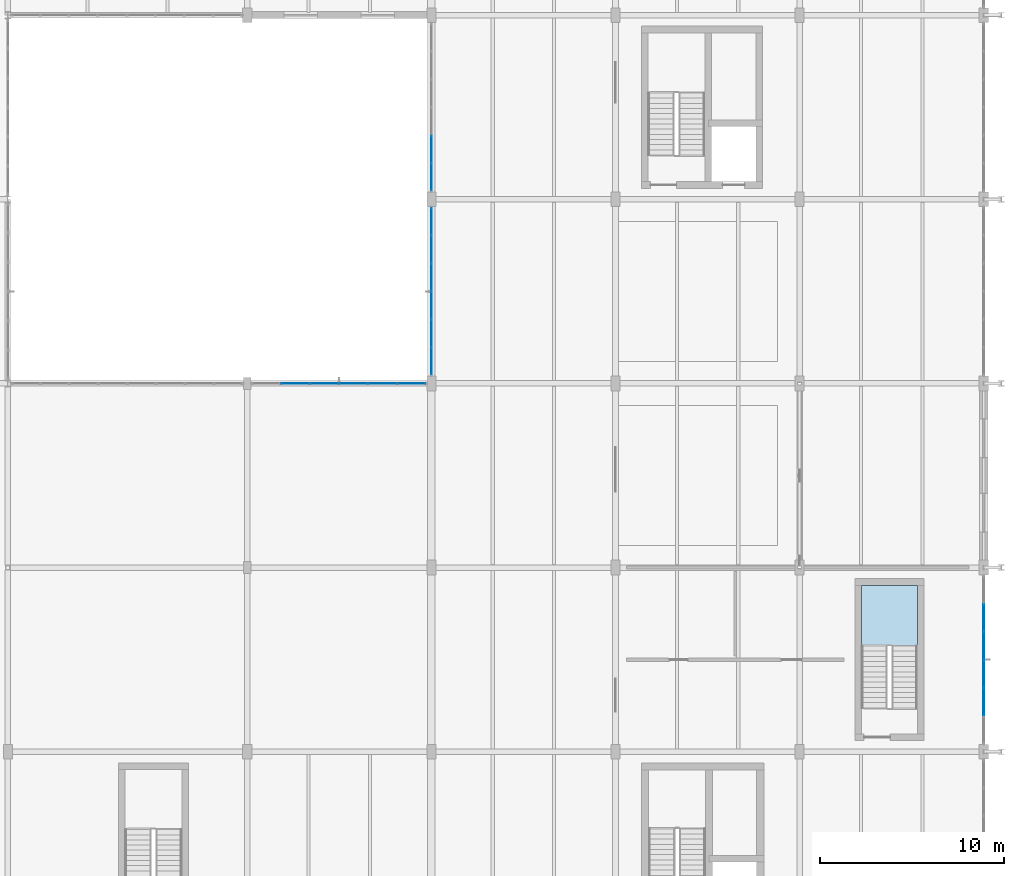
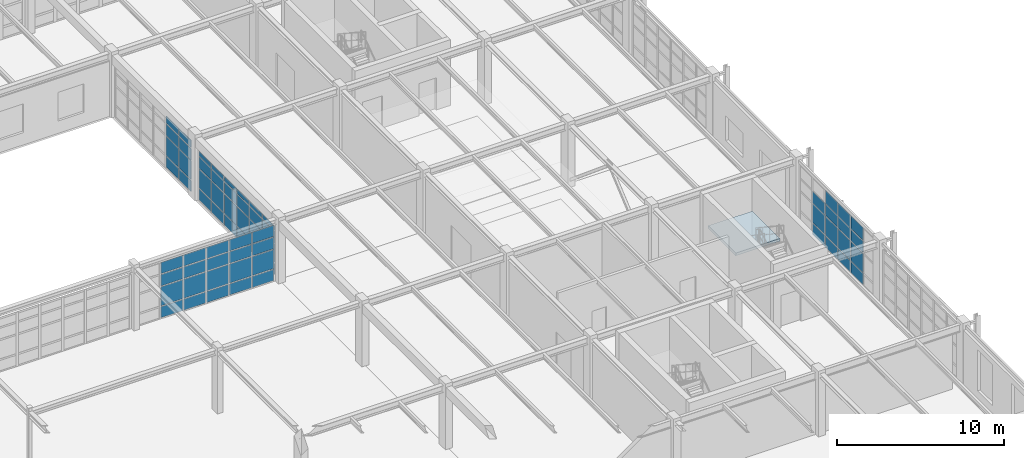
# One storey, part 99 of 139: 67 plates, 1 slab, 5 elements without a shape of their own.
"""IFC4 building model written with IfcOpenShell, lengths in metres."""

from ifc_helpers import new_model, si_unit, direction, frame, origin, origin_2d, place, context, subcontext, project, spatial, polyline, rectangle, outline, extrude, material, layer, layer_set, type_object, element, aggregate, save


model = new_model("IFC4")

# Units and contexts
model_context = context("Model", 3, precision=1e-05, world=origin(), true_north=direction((0.0, 1.0)))
body_context = subcontext(model_context, "Body", "Model", "MODEL_VIEW")
ifc_project = project(units=[si_unit("LENGTHUNIT", "METRE"), si_unit("AREAUNIT", "SQUARE_METRE"), si_unit("VOLUMEUNIT", "CUBIC_METRE"), si_unit("PLANEANGLEUNIT", "RADIAN"), si_unit("MASSUNIT", "GRAM", prefix="KILO"), si_unit("THERMODYNAMICTEMPERATUREUNIT", "KELVIN"), si_unit("POWERUNIT", "WATT")], contexts=[model_context])

# Site, building, storey
site_placement = place(None, origin())
site = spatial("IfcSite", under=ifc_project, at=site_placement, CompositionType="ELEMENT")
building_placement = place(site_placement, origin())
building = spatial("IfcBuilding", under=site, at=building_placement, Name="Korenveer Ferry Terminal", CompositionType="ELEMENT")
storey_placement = place(building_placement, frame((0.0, 0.0, 5.39990234375)))
storey = spatial("IfcBuildingStorey", under=building, at=storey_placement, Name="L01", CompositionType="ELEMENT", Elevation=5.39990234375)

# Curtain wall, plates
ifc_material_1 = material(Name="Unitised bronze-and-glass curtain wall", Category="glass")
ifc_layer_1 = layer(ifc_material_1, 0.159912109375)
ifc_layer_set_1 = layer_set([ifc_layer_1], Name="Unitised bronze-and-glass curtain wall")
curtain_wall_type_1 = type_object("IfcCurtainWallType", Name="ENV-CW-45", PredefinedType="USERDEFINED", material=ifc_layer_set_1)
curtain_wall_1_placement = place(storey_placement, frame((136.22998046875, 50.0, 0.0)))
curtain_wall_1 = element("IfcCurtainWall", 1, at=curtain_wall_1_placement, inside=storey, type_object=curtain_wall_type_1, Name="Lancet curtain wall CWX-L01-X136-146-Y50-50", ObjectType="UNITISED CURTAIN WALL", PredefinedType="USERDEFINED")
ifc_material_2 = material(Name="Low-iron solar-control double glazing", Category="glass")
ifc_layer_2 = layer(ifc_material_2, 0.028076171875)
ifc_layer_set_2 = layer_set([ifc_layer_2], Name="Low-iron solar-control double glazing")
plate_type = type_object("IfcPlateType", Name="ENV-CWP-GLZ28", PredefinedType="CURTAIN_PANEL", material=ifc_layer_set_2)
plate_1_placement = place(storey_placement, frame((138.6025390625, 50.0, 0.06005859375), z_axis=(0.0, 0.0, 1.0), x_axis=(1.0, 0.0, 0.0)))
plate_1 = element("IfcPlate", 2, at=plate_1_placement, type_object=plate_type, Name="CW-45 panel 2.1", PredefinedType="CURTAIN_PANEL", context=body_context, shape_type="SweptSolid", body=[
    extrude(rectangle(XDim=1.521728515625, YDim=0.028076171875, at=origin_2d()), origin(), (0.0, 0.0, 1.0), 0.81005859375),
])
plate_2_placement = place(storey_placement, frame((138.6025390625, 50.0, 0.93017578125), z_axis=(0.0, 0.0, 1.0), x_axis=(1.0, 0.0, 0.0)))
plate_2 = element("IfcPlate", 3, at=plate_2_placement, type_object=plate_type, Name="CW-45 panel 2.2", PredefinedType="CURTAIN_PANEL", context=body_context, shape_type="SweptSolid", body=[
    extrude(rectangle(XDim=1.521728515625, YDim=0.028076171875, at=origin_2d()), origin(), (0.0, 0.0, 1.0), 1.389892578125),
])
plate_3_placement = place(storey_placement, frame((138.6025390625, 50.0, 2.3798828125), z_axis=(0.0, 0.0, 1.0), x_axis=(1.0, 0.0, 0.0)))
plate_3 = element("IfcPlate", 4, at=plate_3_placement, type_object=plate_type, Name="CW-45 panel 2.3", PredefinedType="CURTAIN_PANEL", context=body_context, shape_type="SweptSolid", body=[
    extrude(rectangle(XDim=1.521728515625, YDim=0.028076171875, at=origin_2d()), origin(), (0.0, 0.0, 1.0), 0.840087890625),
])
plate_4_placement = place(storey_placement, frame((138.6025390625, 50.0, 3.2802734375), z_axis=(0.0, 0.0, 1.0), x_axis=(1.0, 0.0, 0.0)))
plate_4 = element("IfcPlate", 5, at=plate_4_placement, type_object=plate_type, Name="CW-45 panel 2.4", PredefinedType="CURTAIN_PANEL", context=body_context, shape_type="SweptSolid", body=[
    extrude(rectangle(XDim=1.521728515625, YDim=0.028076171875, at=origin_2d()), origin(), (0.0, 0.0, 1.0), 0.820068359375),
])
plate_5_placement = place(storey_placement, frame((140.18408203125, 50.0, 0.06005859375), z_axis=(0.0, 0.0, 1.0), x_axis=(1.0, 0.0, 0.0)))
plate_5 = element("IfcPlate", 6, at=plate_5_placement, type_object=plate_type, Name="CW-45 panel 3.1", PredefinedType="CURTAIN_PANEL", context=body_context, shape_type="SweptSolid", body=[
    extrude(rectangle(XDim=1.521728515625, YDim=0.028076171875, at=origin_2d()), origin(), (0.0, 0.0, 1.0), 0.81005859375),
])
plate_6_placement = place(storey_placement, frame((140.18408203125, 50.0, 0.93017578125), z_axis=(0.0, 0.0, 1.0), x_axis=(1.0, 0.0, 0.0)))
plate_6 = element("IfcPlate", 7, at=plate_6_placement, type_object=plate_type, Name="CW-45 panel 3.2", PredefinedType="CURTAIN_PANEL", context=body_context, shape_type="SweptSolid", body=[
    extrude(rectangle(XDim=1.521728515625, YDim=0.028076171875, at=origin_2d()), origin(), (0.0, 0.0, 1.0), 1.389892578125),
])
plate_7_placement = place(storey_placement, frame((140.18408203125, 50.0, 2.3798828125), z_axis=(0.0, 0.0, 1.0), x_axis=(1.0, 0.0, 0.0)))
plate_7 = element("IfcPlate", 8, at=plate_7_placement, type_object=plate_type, Name="CW-45 panel 3.3", PredefinedType="CURTAIN_PANEL", context=body_context, shape_type="SweptSolid", body=[
    extrude(rectangle(XDim=1.521728515625, YDim=0.028076171875, at=origin_2d()), origin(), (0.0, 0.0, 1.0), 0.840087890625),
])
plate_8_placement = place(storey_placement, frame((140.18408203125, 50.0, 3.2802734375), z_axis=(0.0, 0.0, 1.0), x_axis=(1.0, 0.0, 0.0)))
plate_8 = element("IfcPlate", 9, at=plate_8_placement, type_object=plate_type, Name="CW-45 panel 3.4", PredefinedType="CURTAIN_PANEL", context=body_context, shape_type="SweptSolid", body=[
    extrude(rectangle(XDim=1.521728515625, YDim=0.028076171875, at=origin_2d()), origin(), (0.0, 0.0, 1.0), 0.820068359375),
])
plate_9_placement = place(storey_placement, frame((141.765869140625, 50.0, 0.06005859375), z_axis=(0.0, 0.0, 1.0), x_axis=(1.0, 0.0, 0.0)))
plate_9 = element("IfcPlate", 10, at=plate_9_placement, type_object=plate_type, Name="CW-45 panel 4.1", PredefinedType="CURTAIN_PANEL", context=body_context, shape_type="SweptSolid", body=[
    extrude(rectangle(XDim=1.521728515625, YDim=0.028076171875, at=origin_2d()), origin(), (0.0, 0.0, 1.0), 0.81005859375),
])
plate_10_placement = place(storey_placement, frame((141.765869140625, 50.0, 0.93017578125), z_axis=(0.0, 0.0, 1.0), x_axis=(1.0, 0.0, 0.0)))
plate_10 = element("IfcPlate", 11, at=plate_10_placement, type_object=plate_type, Name="CW-45 panel 4.2", PredefinedType="CURTAIN_PANEL", context=body_context, shape_type="SweptSolid", body=[
    extrude(rectangle(XDim=1.521728515625, YDim=0.028076171875, at=origin_2d()), origin(), (0.0, 0.0, 1.0), 1.389892578125),
])
plate_11_placement = place(storey_placement, frame((141.765869140625, 50.0, 2.3798828125), z_axis=(0.0, 0.0, 1.0), x_axis=(1.0, 0.0, 0.0)))
plate_11 = element("IfcPlate", 12, at=plate_11_placement, type_object=plate_type, Name="CW-45 panel 4.3", PredefinedType="CURTAIN_PANEL", context=body_context, shape_type="SweptSolid", body=[
    extrude(rectangle(XDim=1.521728515625, YDim=0.028076171875, at=origin_2d()), origin(), (0.0, 0.0, 1.0), 0.840087890625),
])
plate_12_placement = place(storey_placement, frame((141.765869140625, 50.0, 3.2802734375), z_axis=(0.0, 0.0, 1.0), x_axis=(1.0, 0.0, 0.0)))
plate_12 = element("IfcPlate", 13, at=plate_12_placement, type_object=plate_type, Name="CW-45 panel 4.4", PredefinedType="CURTAIN_PANEL", context=body_context, shape_type="SweptSolid", body=[
    extrude(rectangle(XDim=1.521728515625, YDim=0.028076171875, at=origin_2d()), origin(), (0.0, 0.0, 1.0), 0.820068359375),
])
plate_13_placement = place(storey_placement, frame((143.347412109375, 50.0, 0.06005859375), z_axis=(0.0, 0.0, 1.0), x_axis=(1.0, 0.0, 0.0)))
plate_13 = element("IfcPlate", 14, at=plate_13_placement, type_object=plate_type, Name="CW-45 panel 5.1", PredefinedType="CURTAIN_PANEL", context=body_context, shape_type="SweptSolid", body=[
    extrude(rectangle(XDim=1.521728515625, YDim=0.028076171875, at=origin_2d()), origin(), (0.0, 0.0, 1.0), 0.81005859375),
])
plate_14_placement = place(storey_placement, frame((143.347412109375, 50.0, 0.93017578125), z_axis=(0.0, 0.0, 1.0), x_axis=(1.0, 0.0, 0.0)))
plate_14 = element("IfcPlate", 15, at=plate_14_placement, type_object=plate_type, Name="CW-45 panel 5.2", PredefinedType="CURTAIN_PANEL", context=body_context, shape_type="SweptSolid", body=[
    extrude(rectangle(XDim=1.521728515625, YDim=0.028076171875, at=origin_2d()), origin(), (0.0, 0.0, 1.0), 1.389892578125),
])
plate_15_placement = place(storey_placement, frame((143.347412109375, 50.0, 2.3798828125), z_axis=(0.0, 0.0, 1.0), x_axis=(1.0, 0.0, 0.0)))
plate_15 = element("IfcPlate", 16, at=plate_15_placement, type_object=plate_type, Name="CW-45 panel 5.3", PredefinedType="CURTAIN_PANEL", context=body_context, shape_type="SweptSolid", body=[
    extrude(rectangle(XDim=1.521728515625, YDim=0.028076171875, at=origin_2d()), origin(), (0.0, 0.0, 1.0), 0.840087890625),
])
plate_16_placement = place(storey_placement, frame((143.347412109375, 50.0, 3.2802734375), z_axis=(0.0, 0.0, 1.0), x_axis=(1.0, 0.0, 0.0)))
plate_16 = element("IfcPlate", 17, at=plate_16_placement, type_object=plate_type, Name="CW-45 panel 5.4", PredefinedType="CURTAIN_PANEL", context=body_context, shape_type="SweptSolid", body=[
    extrude(rectangle(XDim=1.521728515625, YDim=0.028076171875, at=origin_2d()), origin(), (0.0, 0.0, 1.0), 0.820068359375),
])
plate_17_placement = place(storey_placement, frame((144.9140625, 50.0, 0.06005859375), z_axis=(0.0, 0.0, 1.0), x_axis=(1.0, 0.0, 0.0)))
plate_17 = element("IfcPlate", 18, at=plate_17_placement, type_object=plate_type, Name="CW-45 panel 6.1", PredefinedType="CURTAIN_PANEL", context=body_context, shape_type="SweptSolid", body=[
    extrude(rectangle(XDim=1.49169921875, YDim=0.028076171875, at=origin_2d()), origin(), (0.0, 0.0, 1.0), 0.81005859375),
])
plate_18_placement = place(storey_placement, frame((144.9140625, 50.0, 0.93017578125), z_axis=(0.0, 0.0, 1.0), x_axis=(1.0, 0.0, 0.0)))
plate_18 = element("IfcPlate", 19, at=plate_18_placement, type_object=plate_type, Name="CW-45 panel 6.2", PredefinedType="CURTAIN_PANEL", context=body_context, shape_type="SweptSolid", body=[
    extrude(rectangle(XDim=1.49169921875, YDim=0.028076171875, at=origin_2d()), origin(), (0.0, 0.0, 1.0), 1.389892578125),
])
plate_19_placement = place(storey_placement, frame((144.9140625, 50.0, 2.3798828125), z_axis=(0.0, 0.0, 1.0), x_axis=(1.0, 0.0, 0.0)))
plate_19 = element("IfcPlate", 20, at=plate_19_placement, type_object=plate_type, Name="CW-45 panel 6.3", PredefinedType="CURTAIN_PANEL", context=body_context, shape_type="SweptSolid", body=[
    extrude(rectangle(XDim=1.49169921875, YDim=0.028076171875, at=origin_2d()), origin(), (0.0, 0.0, 1.0), 0.840087890625),
])
plate_20_placement = place(storey_placement, frame((144.9140625, 50.0, 3.2802734375), z_axis=(0.0, 0.0, 1.0), x_axis=(1.0, 0.0, 0.0)))
plate_20 = element("IfcPlate", 21, at=plate_20_placement, type_object=plate_type, Name="CW-45 panel 6.4", PredefinedType="CURTAIN_PANEL", context=body_context, shape_type="SweptSolid", body=[
    extrude(rectangle(XDim=1.49169921875, YDim=0.028076171875, at=origin_2d()), origin(), (0.0, 0.0, 1.0), 0.820068359375),
])
aggregate(curtain_wall_1, [plate_1, plate_2, plate_3, plate_4, plate_5, plate_6, plate_7, plate_8, plate_9, plate_10, plate_11, plate_12, plate_13, plate_14, plate_15, plate_16, plate_17, plate_18, plate_19, plate_20])

ifc_layer_3 = layer(ifc_material_1, 0.159912109375)
ifc_layer_set_3 = layer_set([ifc_layer_3], Name="Unitised bronze-and-glass curtain wall")
curtain_wall_type_2 = type_object("IfcCurtainWallType", Name="ENV-CW-78", PredefinedType="USERDEFINED", material=ifc_layer_set_3)
curtain_wall_2_placement = place(storey_placement, frame((146.0, 50.429931640625, 0.0)))
curtain_wall_2 = element("IfcCurtainWall", 22, at=curtain_wall_2_placement, inside=storey, type_object=curtain_wall_type_2, Name="Lancet curtain wall CWX-L01-X146-146-Y50-60", ObjectType="UNITISED CURTAIN WALL", PredefinedType="USERDEFINED")
plate_21_placement = place(storey_placement, frame((146.0, 51.206787109375, 0.06005859375), z_axis=(0.0, 0.0, 1.0), x_axis=(0.0, 1.0, 0.0)))
plate_21 = element("IfcPlate", 23, at=plate_21_placement, type_object=plate_type, Name="CW-78 panel 1.1", PredefinedType="CURTAIN_PANEL", context=body_context, shape_type="SweptSolid", body=[
    extrude(rectangle(XDim=1.433349609375, YDim=0.028076171875, at=origin_2d()), origin(), (0.0, 0.0, 1.0), 0.81005859375),
])
plate_22_placement = place(storey_placement, frame((146.0, 51.206787109375, 0.93017578125), z_axis=(0.0, 0.0, 1.0), x_axis=(0.0, 1.0, 0.0)))
plate_22 = element("IfcPlate", 24, at=plate_22_placement, type_object=plate_type, Name="CW-78 panel 1.2", PredefinedType="CURTAIN_PANEL", context=body_context, shape_type="SweptSolid", body=[
    extrude(rectangle(XDim=1.433349609375, YDim=0.028076171875, at=origin_2d()), origin(), (0.0, 0.0, 1.0), 1.389892578125),
])
plate_23_placement = place(storey_placement, frame((146.0, 51.206787109375, 2.3798828125), z_axis=(0.0, 0.0, 1.0), x_axis=(0.0, 1.0, 0.0)))
plate_23 = element("IfcPlate", 25, at=plate_23_placement, type_object=plate_type, Name="CW-78 panel 1.3", PredefinedType="CURTAIN_PANEL", context=body_context, shape_type="SweptSolid", body=[
    extrude(rectangle(XDim=1.433349609375, YDim=0.028076171875, at=origin_2d()), origin(), (0.0, 0.0, 1.0), 0.840087890625),
])
plate_24_placement = place(storey_placement, frame((146.0, 51.206787109375, 3.280029296875), z_axis=(0.0, 0.0, 1.0), x_axis=(0.0, 1.0, 0.0)))
plate_24 = element("IfcPlate", 26, at=plate_24_placement, type_object=plate_type, Name="CW-78 panel 1.4", PredefinedType="CURTAIN_PANEL", context=body_context, shape_type="SweptSolid", body=[
    extrude(rectangle(XDim=1.433349609375, YDim=0.028076171875, at=origin_2d()), origin(), (0.0, 0.0, 1.0), 0.330078125),
])
plate_25_placement = place(storey_placement, frame((146.0, 52.715087890625, 0.06005859375), z_axis=(0.0, 0.0, 1.0), x_axis=(0.0, 1.0, 0.0)))
plate_25 = element("IfcPlate", 27, at=plate_25_placement, type_object=plate_type, Name="CW-78 panel 2.1", PredefinedType="CURTAIN_PANEL", context=body_context, shape_type="SweptSolid", body=[
    extrude(rectangle(XDim=1.46337890625, YDim=0.028076171875, at=origin_2d()), origin(), (0.0, 0.0, 1.0), 0.81005859375),
])
plate_26_placement = place(storey_placement, frame((146.0, 52.715087890625, 0.93017578125), z_axis=(0.0, 0.0, 1.0), x_axis=(0.0, 1.0, 0.0)))
plate_26 = element("IfcPlate", 28, at=plate_26_placement, type_object=plate_type, Name="CW-78 panel 2.2", PredefinedType="CURTAIN_PANEL", context=body_context, shape_type="SweptSolid", body=[
    extrude(rectangle(XDim=1.46337890625, YDim=0.028076171875, at=origin_2d()), origin(), (0.0, 0.0, 1.0), 1.389892578125),
])
plate_27_placement = place(storey_placement, frame((146.0, 52.715087890625, 2.3798828125), z_axis=(0.0, 0.0, 1.0), x_axis=(0.0, 1.0, 0.0)))
plate_27 = element("IfcPlate", 29, at=plate_27_placement, type_object=plate_type, Name="CW-78 panel 2.3", PredefinedType="CURTAIN_PANEL", context=body_context, shape_type="SweptSolid", body=[
    extrude(rectangle(XDim=1.46337890625, YDim=0.028076171875, at=origin_2d()), origin(), (0.0, 0.0, 1.0), 0.840087890625),
])
plate_28_placement = place(storey_placement, frame((146.0, 52.715087890625, 3.280029296875), z_axis=(0.0, 0.0, 1.0), x_axis=(0.0, 1.0, 0.0)))
plate_28 = element("IfcPlate", 30, at=plate_28_placement, type_object=plate_type, Name="CW-78 panel 2.4", PredefinedType="CURTAIN_PANEL", context=body_context, shape_type="SweptSolid", body=[
    extrude(rectangle(XDim=1.46337890625, YDim=0.028076171875, at=origin_2d()), origin(), (0.0, 0.0, 1.0), 0.330078125),
])
plate_29_placement = place(storey_placement, frame((146.0, 54.23828125, 0.06005859375), z_axis=(0.0, 0.0, 1.0), x_axis=(0.0, 1.0, 0.0)))
plate_29 = element("IfcPlate", 31, at=plate_29_placement, type_object=plate_type, Name="CW-78 panel 3.1", PredefinedType="CURTAIN_PANEL", context=body_context, shape_type="SweptSolid", body=[
    extrude(rectangle(XDim=1.46337890625, YDim=0.028076171875, at=origin_2d()), origin(), (0.0, 0.0, 1.0), 0.81005859375),
])
plate_30_placement = place(storey_placement, frame((146.0, 54.23828125, 0.93017578125), z_axis=(0.0, 0.0, 1.0), x_axis=(0.0, 1.0, 0.0)))
plate_30 = element("IfcPlate", 32, at=plate_30_placement, type_object=plate_type, Name="CW-78 panel 3.2", PredefinedType="CURTAIN_PANEL", context=body_context, shape_type="SweptSolid", body=[
    extrude(rectangle(XDim=1.46337890625, YDim=0.028076171875, at=origin_2d()), origin(), (0.0, 0.0, 1.0), 1.389892578125),
])
plate_31_placement = place(storey_placement, frame((146.0, 54.23828125, 2.3798828125), z_axis=(0.0, 0.0, 1.0), x_axis=(0.0, 1.0, 0.0)))
plate_31 = element("IfcPlate", 33, at=plate_31_placement, type_object=plate_type, Name="CW-78 panel 3.3", PredefinedType="CURTAIN_PANEL", context=body_context, shape_type="SweptSolid", body=[
    extrude(rectangle(XDim=1.46337890625, YDim=0.028076171875, at=origin_2d()), origin(), (0.0, 0.0, 1.0), 0.840087890625),
])
plate_32_placement = place(storey_placement, frame((146.0, 54.23828125, 3.280029296875), z_axis=(0.0, 0.0, 1.0), x_axis=(0.0, 1.0, 0.0)))
plate_32 = element("IfcPlate", 34, at=plate_32_placement, type_object=plate_type, Name="CW-78 panel 3.4", PredefinedType="CURTAIN_PANEL", context=body_context, shape_type="SweptSolid", body=[
    extrude(rectangle(XDim=1.46337890625, YDim=0.028076171875, at=origin_2d()), origin(), (0.0, 0.0, 1.0), 0.330078125),
])
plate_33_placement = place(storey_placement, frame((146.0, 55.76171875, 0.06005859375), z_axis=(0.0, 0.0, 1.0), x_axis=(0.0, 1.0, 0.0)))
plate_33 = element("IfcPlate", 35, at=plate_33_placement, type_object=plate_type, Name="CW-78 panel 4.1", PredefinedType="CURTAIN_PANEL", context=body_context, shape_type="SweptSolid", body=[
    extrude(rectangle(XDim=1.46337890625, YDim=0.028076171875, at=origin_2d()), origin(), (0.0, 0.0, 1.0), 0.81005859375),
])
plate_34_placement = place(storey_placement, frame((146.0, 55.76171875, 0.93017578125), z_axis=(0.0, 0.0, 1.0), x_axis=(0.0, 1.0, 0.0)))
plate_34 = element("IfcPlate", 36, at=plate_34_placement, type_object=plate_type, Name="CW-78 panel 4.2", PredefinedType="CURTAIN_PANEL", context=body_context, shape_type="SweptSolid", body=[
    extrude(rectangle(XDim=1.46337890625, YDim=0.028076171875, at=origin_2d()), origin(), (0.0, 0.0, 1.0), 1.389892578125),
])
plate_35_placement = place(storey_placement, frame((146.0, 55.76171875, 2.3798828125), z_axis=(0.0, 0.0, 1.0), x_axis=(0.0, 1.0, 0.0)))
plate_35 = element("IfcPlate", 37, at=plate_35_placement, type_object=plate_type, Name="CW-78 panel 4.3", PredefinedType="CURTAIN_PANEL", context=body_context, shape_type="SweptSolid", body=[
    extrude(rectangle(XDim=1.46337890625, YDim=0.028076171875, at=origin_2d()), origin(), (0.0, 0.0, 1.0), 0.840087890625),
])
plate_36_placement = place(storey_placement, frame((146.0, 55.76171875, 3.280029296875), z_axis=(0.0, 0.0, 1.0), x_axis=(0.0, 1.0, 0.0)))
plate_36 = element("IfcPlate", 38, at=plate_36_placement, type_object=plate_type, Name="CW-78 panel 4.4", PredefinedType="CURTAIN_PANEL", context=body_context, shape_type="SweptSolid", body=[
    extrude(rectangle(XDim=1.46337890625, YDim=0.028076171875, at=origin_2d()), origin(), (0.0, 0.0, 1.0), 0.330078125),
])
plate_37_placement = place(storey_placement, frame((146.0, 57.284912109375, 0.06005859375), z_axis=(0.0, 0.0, 1.0), x_axis=(0.0, 1.0, 0.0)))
plate_37 = element("IfcPlate", 39, at=plate_37_placement, type_object=plate_type, Name="CW-78 panel 5.1", PredefinedType="CURTAIN_PANEL", context=body_context, shape_type="SweptSolid", body=[
    extrude(rectangle(XDim=1.46337890625, YDim=0.028076171875, at=origin_2d()), origin(), (0.0, 0.0, 1.0), 0.81005859375),
])
plate_38_placement = place(storey_placement, frame((146.0, 57.284912109375, 0.93017578125), z_axis=(0.0, 0.0, 1.0), x_axis=(0.0, 1.0, 0.0)))
plate_38 = element("IfcPlate", 40, at=plate_38_placement, type_object=plate_type, Name="CW-78 panel 5.2", PredefinedType="CURTAIN_PANEL", context=body_context, shape_type="SweptSolid", body=[
    extrude(rectangle(XDim=1.46337890625, YDim=0.028076171875, at=origin_2d()), origin(), (0.0, 0.0, 1.0), 1.389892578125),
])
plate_39_placement = place(storey_placement, frame((146.0, 57.284912109375, 2.3798828125), z_axis=(0.0, 0.0, 1.0), x_axis=(0.0, 1.0, 0.0)))
plate_39 = element("IfcPlate", 41, at=plate_39_placement, type_object=plate_type, Name="CW-78 panel 5.3", PredefinedType="CURTAIN_PANEL", context=body_context, shape_type="SweptSolid", body=[
    extrude(rectangle(XDim=1.46337890625, YDim=0.028076171875, at=origin_2d()), origin(), (0.0, 0.0, 1.0), 0.840087890625),
])
plate_40_placement = place(storey_placement, frame((146.0, 57.284912109375, 3.280029296875), z_axis=(0.0, 0.0, 1.0), x_axis=(0.0, 1.0, 0.0)))
plate_40 = element("IfcPlate", 42, at=plate_40_placement, type_object=plate_type, Name="CW-78 panel 5.4", PredefinedType="CURTAIN_PANEL", context=body_context, shape_type="SweptSolid", body=[
    extrude(rectangle(XDim=1.46337890625, YDim=0.028076171875, at=origin_2d()), origin(), (0.0, 0.0, 1.0), 0.330078125),
])
plate_41_placement = place(storey_placement, frame((146.0, 58.793212890625, 0.06005859375), z_axis=(0.0, 0.0, 1.0), x_axis=(0.0, 1.0, 0.0)))
plate_41 = element("IfcPlate", 43, at=plate_41_placement, type_object=plate_type, Name="CW-78 panel 6.1", PredefinedType="CURTAIN_PANEL", context=body_context, shape_type="SweptSolid", body=[
    extrude(rectangle(XDim=1.433349609375, YDim=0.028076171875, at=origin_2d()), origin(), (0.0, 0.0, 1.0), 0.81005859375),
])
plate_42_placement = place(storey_placement, frame((146.0, 58.793212890625, 0.93017578125), z_axis=(0.0, 0.0, 1.0), x_axis=(0.0, 1.0, 0.0)))
plate_42 = element("IfcPlate", 44, at=plate_42_placement, type_object=plate_type, Name="CW-78 panel 6.2", PredefinedType="CURTAIN_PANEL", context=body_context, shape_type="SweptSolid", body=[
    extrude(rectangle(XDim=1.433349609375, YDim=0.028076171875, at=origin_2d()), origin(), (0.0, 0.0, 1.0), 1.389892578125),
])
plate_43_placement = place(storey_placement, frame((146.0, 58.793212890625, 2.3798828125), z_axis=(0.0, 0.0, 1.0), x_axis=(0.0, 1.0, 0.0)))
plate_43 = element("IfcPlate", 45, at=plate_43_placement, type_object=plate_type, Name="CW-78 panel 6.3", PredefinedType="CURTAIN_PANEL", context=body_context, shape_type="SweptSolid", body=[
    extrude(rectangle(XDim=1.433349609375, YDim=0.028076171875, at=origin_2d()), origin(), (0.0, 0.0, 1.0), 0.840087890625),
])
plate_44_placement = place(storey_placement, frame((146.0, 58.793212890625, 3.280029296875), z_axis=(0.0, 0.0, 1.0), x_axis=(0.0, 1.0, 0.0)))
plate_44 = element("IfcPlate", 46, at=plate_44_placement, type_object=plate_type, Name="CW-78 panel 6.4", PredefinedType="CURTAIN_PANEL", context=body_context, shape_type="SweptSolid", body=[
    extrude(rectangle(XDim=1.433349609375, YDim=0.028076171875, at=origin_2d()), origin(), (0.0, 0.0, 1.0), 0.330078125),
])
aggregate(curtain_wall_2, [plate_21, plate_22, plate_23, plate_24, plate_25, plate_26, plate_27, plate_28, plate_29, plate_30, plate_31, plate_32, plate_33, plate_34, plate_35, plate_36, plate_37, plate_38, plate_39, plate_40, plate_41, plate_42, plate_43, plate_44])

ifc_layer_4 = layer(ifc_material_1, 0.159912109375)
ifc_layer_set_4 = layer_set([ifc_layer_4], Name="Unitised bronze-and-glass curtain wall")
curtain_wall_type_3 = type_object("IfcCurtainWallType", Name="ENV-CW-79", PredefinedType="USERDEFINED", material=ifc_layer_set_4)
curtain_wall_3_placement = place(storey_placement, frame((146.0, 60.429931640625, 0.0)))
curtain_wall_3 = element("IfcCurtainWall", 47, at=curtain_wall_3_placement, inside=storey, type_object=curtain_wall_type_3, Name="Lancet curtain wall CWX-L01-X146-146-Y60-70", ObjectType="UNITISED CURTAIN WALL", PredefinedType="USERDEFINED")
plate_45_placement = place(storey_placement, frame((146.0, 61.206787109375, 0.06005859375), z_axis=(0.0, 0.0, 1.0), x_axis=(0.0, 1.0, 0.0)))
plate_45 = element("IfcPlate", 48, at=plate_45_placement, type_object=plate_type, Name="CW-79 panel 1.1", PredefinedType="CURTAIN_PANEL", context=body_context, shape_type="SweptSolid", body=[
    extrude(rectangle(XDim=1.433349609375, YDim=0.028076171875, at=origin_2d()), origin(), (0.0, 0.0, 1.0), 0.81005859375),
])
plate_46_placement = place(storey_placement, frame((146.0, 61.206787109375, 0.93017578125), z_axis=(0.0, 0.0, 1.0), x_axis=(0.0, 1.0, 0.0)))
plate_46 = element("IfcPlate", 49, at=plate_46_placement, type_object=plate_type, Name="CW-79 panel 1.2", PredefinedType="CURTAIN_PANEL", context=body_context, shape_type="SweptSolid", body=[
    extrude(rectangle(XDim=1.433349609375, YDim=0.028076171875, at=origin_2d()), origin(), (0.0, 0.0, 1.0), 1.389892578125),
])
plate_47_placement = place(storey_placement, frame((146.0, 61.206787109375, 2.3798828125), z_axis=(0.0, 0.0, 1.0), x_axis=(0.0, 1.0, 0.0)))
plate_47 = element("IfcPlate", 50, at=plate_47_placement, type_object=plate_type, Name="CW-79 panel 1.3", PredefinedType="CURTAIN_PANEL", context=body_context, shape_type="SweptSolid", body=[
    extrude(rectangle(XDim=1.433349609375, YDim=0.028076171875, at=origin_2d()), origin(), (0.0, 0.0, 1.0), 0.840087890625),
])
plate_48_placement = place(storey_placement, frame((146.0, 61.206787109375, 3.2802734375), z_axis=(0.0, 0.0, 1.0), x_axis=(0.0, 1.0, 0.0)))
plate_48 = element("IfcPlate", 51, at=plate_48_placement, type_object=plate_type, Name="CW-79 panel 1.4", PredefinedType="CURTAIN_PANEL", context=body_context, shape_type="SweptSolid", body=[
    extrude(rectangle(XDim=1.433349609375, YDim=0.028076171875, at=origin_2d()), origin(), (0.0, 0.0, 1.0), 0.530029296875),
])
plate_49_placement = place(storey_placement, frame((146.0, 62.715087890625, 0.06005859375), z_axis=(0.0, 0.0, 1.0), x_axis=(0.0, 1.0, 0.0)))
plate_49 = element("IfcPlate", 52, at=plate_49_placement, type_object=plate_type, Name="CW-79 panel 2.1", PredefinedType="CURTAIN_PANEL", context=body_context, shape_type="SweptSolid", body=[
    extrude(rectangle(XDim=1.46337890625, YDim=0.028076171875, at=origin_2d()), origin(), (0.0, 0.0, 1.0), 0.81005859375),
])
plate_50_placement = place(storey_placement, frame((146.0, 62.715087890625, 0.93017578125), z_axis=(0.0, 0.0, 1.0), x_axis=(0.0, 1.0, 0.0)))
plate_50 = element("IfcPlate", 53, at=plate_50_placement, type_object=plate_type, Name="CW-79 panel 2.2", PredefinedType="CURTAIN_PANEL", context=body_context, shape_type="SweptSolid", body=[
    extrude(rectangle(XDim=1.46337890625, YDim=0.028076171875, at=origin_2d()), origin(), (0.0, 0.0, 1.0), 1.389892578125),
])
plate_51_placement = place(storey_placement, frame((146.0, 62.715087890625, 2.3798828125), z_axis=(0.0, 0.0, 1.0), x_axis=(0.0, 1.0, 0.0)))
plate_51 = element("IfcPlate", 54, at=plate_51_placement, type_object=plate_type, Name="CW-79 panel 2.3", PredefinedType="CURTAIN_PANEL", context=body_context, shape_type="SweptSolid", body=[
    extrude(rectangle(XDim=1.46337890625, YDim=0.028076171875, at=origin_2d()), origin(), (0.0, 0.0, 1.0), 0.840087890625),
])
plate_52_placement = place(storey_placement, frame((146.0, 62.715087890625, 3.2802734375), z_axis=(0.0, 0.0, 1.0), x_axis=(0.0, 1.0, 0.0)))
plate_52 = element("IfcPlate", 55, at=plate_52_placement, type_object=plate_type, Name="CW-79 panel 2.4", PredefinedType="CURTAIN_PANEL", context=body_context, shape_type="SweptSolid", body=[
    extrude(rectangle(XDim=1.46337890625, YDim=0.028076171875, at=origin_2d()), origin(), (0.0, 0.0, 1.0), 0.530029296875),
])
aggregate(curtain_wall_3, [plate_45, plate_46, plate_47, plate_48, plate_49, plate_50, plate_51, plate_52])

ifc_layer_5 = layer(ifc_material_1, 0.159912109375)
ifc_layer_set_5 = layer_set([ifc_layer_5], Name="Unitised bronze-and-glass curtain wall")
curtain_wall_type_4 = type_object("IfcCurtainWallType", Name="ENV-CW-81", PredefinedType="USERDEFINED", material=ifc_layer_set_5)
curtain_wall_4_placement = place(storey_placement, frame((176.0, 39.570068359375, 0.0)))
curtain_wall_4 = element("IfcCurtainWall", 56, at=curtain_wall_4_placement, inside=storey, type_object=curtain_wall_type_4, Name="Lancet curtain wall CWX-L01-X176-176-Y30-40", ObjectType="UNITISED CURTAIN WALL", PredefinedType="USERDEFINED")
plate_53_placement = place(storey_placement, frame((176.0, 37.284912109375, 0.06005859375), z_axis=(0.0, 0.0, 1.0), x_axis=(0.0, -1.0, 0.0)))
plate_53 = element("IfcPlate", 57, at=plate_53_placement, type_object=plate_type, Name="CW-81 panel 2.1", PredefinedType="CURTAIN_PANEL", context=body_context, shape_type="SweptSolid", body=[
    extrude(rectangle(XDim=1.46337890625, YDim=0.028076171875, at=origin_2d()), origin(), (0.0, 0.0, 1.0), 0.81005859375),
])
plate_54_placement = place(storey_placement, frame((176.0, 37.284912109375, 0.93017578125), z_axis=(0.0, 0.0, 1.0), x_axis=(0.0, -1.0, 0.0)))
plate_54 = element("IfcPlate", 58, at=plate_54_placement, type_object=plate_type, Name="CW-81 panel 2.2", PredefinedType="CURTAIN_PANEL", context=body_context, shape_type="SweptSolid", body=[
    extrude(rectangle(XDim=1.46337890625, YDim=0.028076171875, at=origin_2d()), origin(), (0.0, 0.0, 1.0), 1.389892578125),
])
plate_55_placement = place(storey_placement, frame((176.0, 37.284912109375, 2.3798828125), z_axis=(0.0, 0.0, 1.0), x_axis=(0.0, -1.0, 0.0)))
plate_55 = element("IfcPlate", 59, at=plate_55_placement, type_object=plate_type, Name="CW-81 panel 2.3", PredefinedType="CURTAIN_PANEL", context=body_context, shape_type="SweptSolid", body=[
    extrude(rectangle(XDim=1.46337890625, YDim=0.028076171875, at=origin_2d()), origin(), (0.0, 0.0, 1.0), 0.840087890625),
])
plate_56_placement = place(storey_placement, frame((176.0, 35.76171875, 0.06005859375), z_axis=(0.0, 0.0, 1.0), x_axis=(0.0, -1.0, 0.0)))
plate_56 = element("IfcPlate", 60, at=plate_56_placement, type_object=plate_type, Name="CW-81 panel 3.1", PredefinedType="CURTAIN_PANEL", context=body_context, shape_type="SweptSolid", body=[
    extrude(rectangle(XDim=1.46337890625, YDim=0.028076171875, at=origin_2d()), origin(), (0.0, 0.0, 1.0), 0.81005859375),
])
plate_57_placement = place(storey_placement, frame((176.0, 35.76171875, 0.93017578125), z_axis=(0.0, 0.0, 1.0), x_axis=(0.0, -1.0, 0.0)))
plate_57 = element("IfcPlate", 61, at=plate_57_placement, type_object=plate_type, Name="CW-81 panel 3.2", PredefinedType="CURTAIN_PANEL", context=body_context, shape_type="SweptSolid", body=[
    extrude(rectangle(XDim=1.46337890625, YDim=0.028076171875, at=origin_2d()), origin(), (0.0, 0.0, 1.0), 1.389892578125),
])
plate_58_placement = place(storey_placement, frame((176.0, 35.76171875, 2.3798828125), z_axis=(0.0, 0.0, 1.0), x_axis=(0.0, -1.0, 0.0)))
plate_58 = element("IfcPlate", 62, at=plate_58_placement, type_object=plate_type, Name="CW-81 panel 3.3", PredefinedType="CURTAIN_PANEL", context=body_context, shape_type="SweptSolid", body=[
    extrude(rectangle(XDim=1.46337890625, YDim=0.028076171875, at=origin_2d()), origin(), (0.0, 0.0, 1.0), 0.840087890625),
])
plate_59_placement = place(storey_placement, frame((176.0, 35.76171875, 3.2802734375), z_axis=(0.0, 0.0, 1.0), x_axis=(0.0, -1.0, 0.0)))
plate_59 = element("IfcPlate", 63, at=plate_59_placement, type_object=plate_type, Name="CW-81 panel 3.4", PredefinedType="CURTAIN_PANEL", context=body_context, shape_type="SweptSolid", body=[
    extrude(rectangle(XDim=1.46337890625, YDim=0.028076171875, at=origin_2d()), origin(), (0.0, 0.0, 1.0), 0.929931640625),
])
plate_60_placement = place(storey_placement, frame((176.0, 34.23828125, 0.06005859375), z_axis=(0.0, 0.0, 1.0), x_axis=(0.0, -1.0, 0.0)))
plate_60 = element("IfcPlate", 64, at=plate_60_placement, type_object=plate_type, Name="CW-81 panel 4.1", PredefinedType="CURTAIN_PANEL", context=body_context, shape_type="SweptSolid", body=[
    extrude(rectangle(XDim=1.46337890625, YDim=0.028076171875, at=origin_2d()), origin(), (0.0, 0.0, 1.0), 0.81005859375),
])
plate_61_placement = place(storey_placement, frame((176.0, 34.23828125, 0.93017578125), z_axis=(0.0, 0.0, 1.0), x_axis=(0.0, -1.0, 0.0)))
plate_61 = element("IfcPlate", 65, at=plate_61_placement, type_object=plate_type, Name="CW-81 panel 4.2", PredefinedType="CURTAIN_PANEL", context=body_context, shape_type="SweptSolid", body=[
    extrude(rectangle(XDim=1.46337890625, YDim=0.028076171875, at=origin_2d()), origin(), (0.0, 0.0, 1.0), 1.389892578125),
])
plate_62_placement = place(storey_placement, frame((176.0, 34.23828125, 2.3798828125), z_axis=(0.0, 0.0, 1.0), x_axis=(0.0, -1.0, 0.0)))
plate_62 = element("IfcPlate", 66, at=plate_62_placement, type_object=plate_type, Name="CW-81 panel 4.3", PredefinedType="CURTAIN_PANEL", context=body_context, shape_type="SweptSolid", body=[
    extrude(rectangle(XDim=1.46337890625, YDim=0.028076171875, at=origin_2d()), origin(), (0.0, 0.0, 1.0), 0.840087890625),
])
plate_63_placement = place(storey_placement, frame((176.0, 34.23828125, 3.2802734375), z_axis=(0.0, 0.0, 1.0), x_axis=(0.0, -1.0, 0.0)))
plate_63 = element("IfcPlate", 67, at=plate_63_placement, type_object=plate_type, Name="CW-81 panel 4.4", PredefinedType="CURTAIN_PANEL", context=body_context, shape_type="SweptSolid", body=[
    extrude(rectangle(XDim=1.46337890625, YDim=0.028076171875, at=origin_2d()), origin(), (0.0, 0.0, 1.0), 0.929931640625),
])
plate_64_placement = place(storey_placement, frame((176.0, 32.715087890625, 0.06005859375), z_axis=(0.0, 0.0, 1.0), x_axis=(0.0, -1.0, 0.0)))
plate_64 = element("IfcPlate", 68, at=plate_64_placement, type_object=plate_type, Name="CW-81 panel 5.1", PredefinedType="CURTAIN_PANEL", context=body_context, shape_type="SweptSolid", body=[
    extrude(rectangle(XDim=1.46337890625, YDim=0.028076171875, at=origin_2d()), origin(), (0.0, 0.0, 1.0), 0.81005859375),
])
plate_65_placement = place(storey_placement, frame((176.0, 32.715087890625, 0.93017578125), z_axis=(0.0, 0.0, 1.0), x_axis=(0.0, -1.0, 0.0)))
plate_65 = element("IfcPlate", 69, at=plate_65_placement, type_object=plate_type, Name="CW-81 panel 5.2", PredefinedType="CURTAIN_PANEL", context=body_context, shape_type="SweptSolid", body=[
    extrude(rectangle(XDim=1.46337890625, YDim=0.028076171875, at=origin_2d()), origin(), (0.0, 0.0, 1.0), 1.389892578125),
])
plate_66_placement = place(storey_placement, frame((176.0, 32.715087890625, 2.3798828125), z_axis=(0.0, 0.0, 1.0), x_axis=(0.0, -1.0, 0.0)))
plate_66 = element("IfcPlate", 70, at=plate_66_placement, type_object=plate_type, Name="CW-81 panel 5.3", PredefinedType="CURTAIN_PANEL", context=body_context, shape_type="SweptSolid", body=[
    extrude(rectangle(XDim=1.46337890625, YDim=0.028076171875, at=origin_2d()), origin(), (0.0, 0.0, 1.0), 0.840087890625),
])
plate_67_placement = place(storey_placement, frame((176.0, 32.715087890625, 3.2802734375), z_axis=(0.0, 0.0, 1.0), x_axis=(0.0, -1.0, 0.0)))
plate_67 = element("IfcPlate", 71, at=plate_67_placement, type_object=plate_type, Name="CW-81 panel 5.4", PredefinedType="CURTAIN_PANEL", context=body_context, shape_type="SweptSolid", body=[
    extrude(rectangle(XDim=1.46337890625, YDim=0.028076171875, at=origin_2d()), origin(), (0.0, 0.0, 1.0), 0.929931640625),
])
aggregate(curtain_wall_4, [plate_53, plate_54, plate_55, plate_56, plate_57, plate_58, plate_59, plate_60, plate_61, plate_62, plate_63, plate_64, plate_65, plate_66, plate_67])

# Stair, slab
ifc_material_3 = material(Name="Concrete C40/50", Category="concrete")
stair_type = type_object("IfcStairType", Name="INT-ST-08", PredefinedType="HALF_TURN_STAIR", material=ifc_material_3)
stair_placement = place(storey_placement, frame((171.68994140625, 32.3798828125, 0.0)))
stair = element("IfcStair", 72, at=stair_placement, inside=storey, type_object=stair_type, Name="L01 Schengen South Stair Core K12", PredefinedType="HALF_TURN_STAIR")
ifc_layer_6 = layer(ifc_material_3, 0.199951171875)
ifc_layer_set_6 = layer_set([ifc_layer_6], Name="Concrete C40/50")
slab_type = type_object("IfcSlabType", Name="INT-SL-LAND200", PredefinedType="LANDING", material=ifc_layer_set_6)
slab_placement = place(storey_placement, frame((0.0, 0.0, 2.2001953125)))
slab = element("IfcSlab", 73, at=slab_placement, type_object=slab_type, Name="ST12 landing 1", PredefinedType="LANDING", context=body_context, shape_type="SweptSolid", body=[
    extrude(outline(polyline([(172.39990234375, 35.739990234375), (172.39990234375, 39.0400390625), (169.360107421875, 39.0400390625), (169.360107421875, 35.739990234375), (172.39990234375, 35.739990234375)])), origin(), (0.0, 0.0, 1.0), 0.199951171875),
])
aggregate(stair, [slab])

save(model, "model.ifc")
